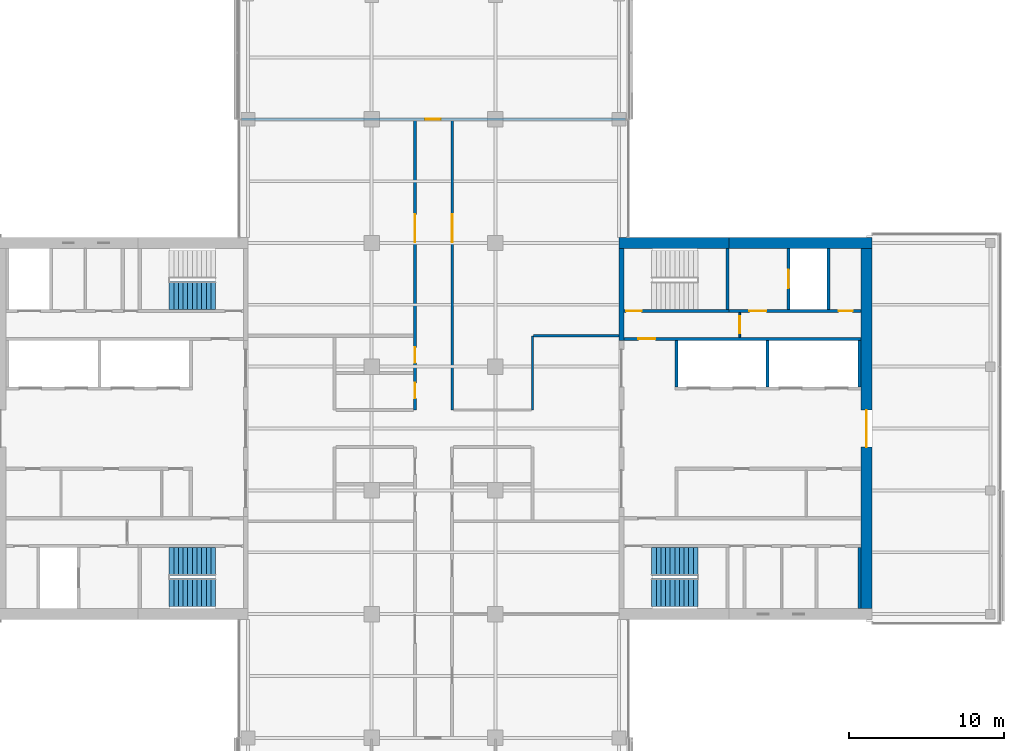
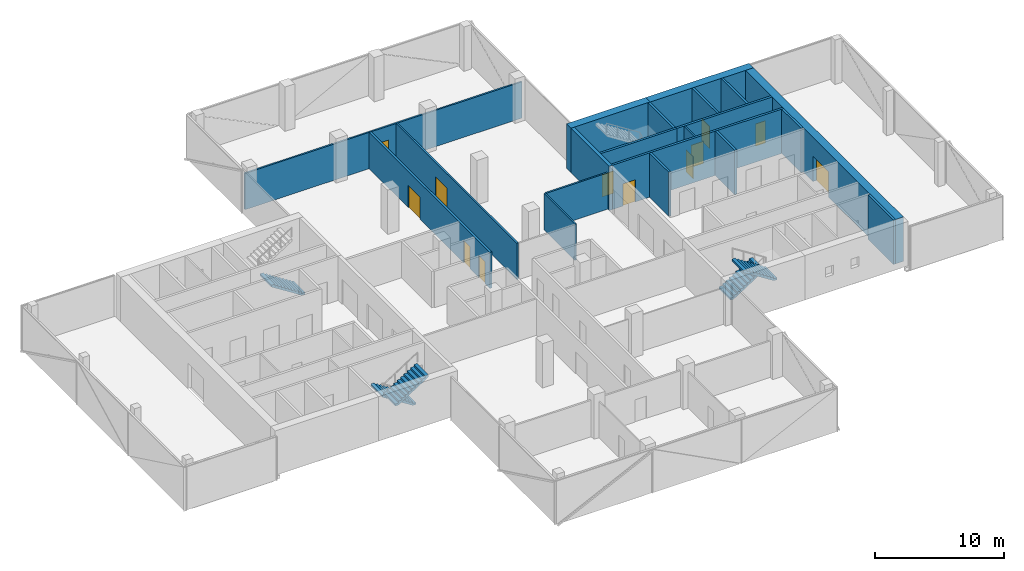
# One storey, part 16 of 22: 20 walls, 12 doors, 5 stair flights, 12 openings, 3 elements without a shape of their own.
"""IFC4 building model written with IfcOpenShell, lengths in metres."""

from ifc_helpers import new_model, si_unit, direction, frame, frame_2d, origin, place, context, subcontext, project, spatial, polyline, rectangle, outline, extrude, material, layer, layer_set, constituent, constituent_set, type_object, element, fill, aggregate, save


model = new_model("IFC4")

# Units and contexts
model_context = context("Model", 3, precision=1e-05, world=origin(), true_north=direction((0.0, 1.0)))
body_context = subcontext(model_context, "Body", "Model", "MODEL_VIEW")
ifc_project = project(units=[si_unit("LENGTHUNIT", "METRE"), si_unit("AREAUNIT", "SQUARE_METRE"), si_unit("VOLUMEUNIT", "CUBIC_METRE"), si_unit("PLANEANGLEUNIT", "RADIAN"), si_unit("MASSUNIT", "GRAM", prefix="KILO")], contexts=[model_context])

# Site, building, storey
site_placement = place(None, origin())
site = spatial("IfcSite", under=ifc_project, at=site_placement, CompositionType="ELEMENT")
building_placement = place(site_placement, origin())
building = spatial("IfcBuilding", under=site, at=building_placement, Name="Crosswind Convention Tower", CompositionType="ELEMENT")
storey_placement = place(building_placement, frame((0.0, 0.0, 121.10009765625)))
storey = spatial("IfcBuildingStorey", under=building, at=storey_placement, Name="L24", CompositionType="ELEMENT", Elevation=121.10009765625)

# Wall, openings, doors
ifc_material_1 = material(Name="Concrete blockwork", Category="masonry")
ifc_layer_1 = layer(ifc_material_1, 0.199951171875)
ifc_layer_set_1 = layer_set([ifc_layer_1], Name="COMPARTMENT WALL 200 BLOCKWORK")
wall_type_1 = type_object("IfcWallType", Name="COMPARTMENT WALL 200 BLOCKWORK", PredefinedType="SOLIDWALL", material=ifc_layer_set_1)
wall_1_placement = place(storey_placement, frame((123.800048828125, 101.199951171875, 0.0), z_axis=(0.0, 0.0, 1.0), x_axis=(0.0, 1.0, 0.0)))
wall_1 = element("IfcWall", 1, at=wall_1_placement, inside=storey, type_object=wall_type_1, Name="Compartment wall WT42", PredefinedType="SOLIDWALL", context=body_context, shape_type="SweptSolid", body=[
    extrude(rectangle(XDim=18.72509765625, YDim=0.199951171875, at=frame_2d((9.362548828125, 0.0))), origin(), (0.0, 0.0, 1.0), 3.436279296875),
])
opening_1_placement = place(wall_1_placement, frame((0.75, 0.0, 0.0)))
opening_1 = element("IfcOpeningElement", 2, at=opening_1_placement, cuts=wall_1, Name="Opening L24-55", PredefinedType="OPENING", context=body_context, shape_type="SweptSolid", body=[
    extrude(rectangle(XDim=1.0, YDim=2.10009765625, at=frame_2d((0.5, 1.050048828125))), frame((0.0, 0.10986328125, 0.0), z_axis=(0.0, -1.0, 0.0), x_axis=(1.0, 0.0, 0.0)), (0.0, 0.0, 1.0), 0.219970703125),
])
opening_2_placement = place(wall_1_placement, frame((3.050048828125, 0.0, 0.0)))
opening_2 = element("IfcOpeningElement", 3, at=opening_2_placement, cuts=wall_1, Name="Opening L24-56", PredefinedType="OPENING", context=body_context, shape_type="SweptSolid", body=[
    extrude(rectangle(XDim=1.0, YDim=2.10009765625, at=frame_2d((0.5, 1.050048828125))), frame((0.0, 0.10986328125, 0.0), z_axis=(0.0, -1.0, 0.0), x_axis=(1.0, 0.0, 0.0)), (0.0, 0.0, 1.0), 0.219970703125),
])
opening_3_placement = place(wall_1_placement, frame((10.85009765625, 0.0, 0.0)))
opening_3 = element("IfcOpeningElement", 4, at=opening_3_placement, cuts=wall_1, Name="Opening L24-57", PredefinedType="OPENING", context=body_context, shape_type="SweptSolid", body=[
    extrude(rectangle(XDim=1.800048828125, YDim=2.10009765625, at=frame_2d((0.89990234375, 1.050048828125))), frame((0.0, 0.10986328125, 0.0), z_axis=(0.0, -1.0, 0.0), x_axis=(1.0, 0.0, 0.0)), (0.0, 0.0, 1.0), 0.219970703125),
])
ifc_material_2 = material(Name="Steel fire door", Category="steel")
door_type_1 = type_object("IfcDoorType", Name="PLANT ROOM DOOR 1000X2100 FD60", OperationType="NOTDEFINED", PredefinedType="DOOR", material=ifc_material_2)
door_1_placement = place(opening_1_placement, origin())
door_1 = element("IfcDoor", 5, at=door_1_placement, inside=storey, type_object=door_type_1, Name="Door L24-55", ObjectType="D43", OperationType="SINGLE_SWING_RIGHT", OverallHeight=2.10009765625, OverallWidth=1.0, PredefinedType="DOOR", context=body_context, shape_type="SweptSolid", body=[
    extrude(rectangle(XDim=1.0, YDim=2.10009765625, at=frame_2d((0.5, 1.050048828125))), frame((0.0, 0.02490234375, 0.0), z_axis=(0.0, -1.0, 0.0), x_axis=(1.0, 0.0, 0.0)), (0.0, 0.0, 1.0), 0.050048828125),
])
fill(opening_1, door_1)
door_2_placement = place(opening_2_placement, origin())
door_2 = element("IfcDoor", 6, at=door_2_placement, inside=storey, type_object=door_type_1, Name="Door L24-56", ObjectType="D43", OperationType="SINGLE_SWING_LEFT", OverallHeight=2.10009765625, OverallWidth=1.0, PredefinedType="DOOR", context=body_context, shape_type="SweptSolid", body=[
    extrude(rectangle(XDim=1.0, YDim=2.10009765625, at=frame_2d((0.5, 1.050048828125))), frame((0.0, 0.02490234375, 0.0), z_axis=(0.0, -1.0, 0.0), x_axis=(1.0, 0.0, 0.0)), (0.0, 0.0, 1.0), 0.050048828125),
])
fill(opening_2, door_2)
ifc_material_3 = material(Name="Timber fire door", Category="wood")
door_type_2 = type_object("IfcDoorType", Name="TENANCY ENTRANCE DOUBLE DOOR 1800X2100 FD30S", OperationType="DOUBLE_DOOR_SINGLE_SWING", PredefinedType="DOOR", material=ifc_material_3)
door_3_placement = place(opening_3_placement, origin())
door_3 = element("IfcDoor", 7, at=door_3_placement, inside=storey, type_object=door_type_2, Name="Door L24-57", ObjectType="D42", OperationType="DOUBLE_DOOR_SINGLE_SWING", OverallHeight=2.10009765625, OverallWidth=1.800048828125, PredefinedType="DOOR", context=body_context, shape_type="SweptSolid", body=[
    extrude(rectangle(XDim=1.800048828125, YDim=2.10009765625, at=frame_2d((0.89990234375, 1.050048828125))), frame((0.0, 0.02490234375, 0.0), z_axis=(0.0, -1.0, 0.0), x_axis=(1.0, 0.0, 0.0)), (0.0, 0.0, 1.0), 0.050048828125),
])
fill(opening_3, door_3)

# Wall, opening, door
ifc_material_4 = material(Name="Concrete C60/75", Category="concrete")
ifc_layer_2 = layer(ifc_material_4, 0.699951171875)
ifc_layer_set_2 = layer_set([ifc_layer_2], Name="Concrete C60/75")
wall_type_2 = type_object("IfcWallType", Name="Concrete core wall 700", PredefinedType="SHEAR", material=ifc_layer_set_2)
wall_2_placement = place(storey_placement, frame((153.0, 88.35009765625, 0.0), z_axis=(0.0, 0.0, 1.0), x_axis=(0.0, 1.0, 0.0)))
wall_2 = element("IfcWall", 8, at=wall_2_placement, inside=storey, type_object=wall_type_2, Name="Wall O E L24", PredefinedType="SHEAR", context=body_context, shape_type="SweptSolid", body=[
    extrude(rectangle(XDim=23.2998046875, YDim=0.699951171875, at=frame_2d((11.64990234375, 0.0))), origin(), (0.0, 0.0, 1.0), 4.199951171875),
])
opening_4_placement = place(wall_2_placement, frame((10.449951171875, 0.0, 0.0)))
opening_4 = element("IfcOpeningElement", 9, at=opening_4_placement, cuts=wall_2, Name="Opening D100", PredefinedType="OPENING", context=body_context, shape_type="SweptSolid", body=[
    extrude(rectangle(XDim=2.39990234375, YDim=2.39990234375, at=frame_2d((1.199951171875, 1.199951171875))), frame((0.0, 0.35986328125, 0.0), z_axis=(0.0, -1.0, 0.0), x_axis=(1.0, 0.0, 0.0)), (0.0, 0.0, 1.0), 0.719970703125),
])
ifc_material_5 = material(Name="Steel fire door with glazed vision panels", Category="steel")
door_type_3 = type_object("IfcDoorType", Name="Fire-rated double door 2400x2400", OperationType="DOUBLE_DOOR_SINGLE_SWING", PredefinedType="DOOR", material=ifc_material_5)
door_4_placement = place(opening_4_placement, frame((2.39990234375, 0.0, 0.0), z_axis=(0.0, 0.0, 1.0), x_axis=(-1.0, 0.0, 0.0)))
door_4 = element("IfcDoor", 10, at=door_4_placement, inside=storey, type_object=door_type_3, Name="Lobby outer door L24", ObjectType="D100", OperationType="DOUBLE_DOOR_SINGLE_SWING", OverallHeight=2.39990234375, OverallWidth=2.39990234375, PredefinedType="DOOR", context=body_context, shape_type="SweptSolid", body=[
    extrude(rectangle(XDim=2.39990234375, YDim=2.39990234375, at=frame_2d((1.199951171875, 1.199951171875))), frame((0.0, 0.02490234375, 0.0), z_axis=(0.0, -1.0, 0.0), x_axis=(1.0, 0.0, 0.0)), (0.0, 0.0, 1.0), 0.050048828125),
])
fill(opening_4, door_4)

# Walls
ifc_material_6 = material(Name="Concrete C50/60", Category="concrete")
ifc_layer_3 = layer(ifc_material_6, 0.300048828125)
ifc_layer_set_3 = layer_set([ifc_layer_3], Name="Concrete C50/60")
wall_type_3 = type_object("IfcWallType", Name="Concrete inner core wall 300", PredefinedType="SHEAR", material=ifc_layer_set_3)
wall_3_placement = place(storey_placement, frame((137.14990234375, 105.699951171875, 0.0), z_axis=(0.0, 0.0, 1.0), x_axis=(0.0, 1.0, 0.0)))
element("IfcWall", 11, at=wall_3_placement, inside=storey, type_object=wall_type_3, Name="Wall EP E L24", PredefinedType="SHEAR", context=body_context, shape_type="SweptSolid", body=[
    extrude(rectangle(XDim=5.949951171875, YDim=0.300048828125, at=frame_2d((2.97509765625, 0.0))), origin(), (0.0, 0.0, 1.0), 4.199951171875),
])
ifc_layer_4 = layer(ifc_material_6, 0.199951171875)
ifc_layer_set_4 = layer_set([ifc_layer_4], Name="Concrete C50/60")
wall_type_4 = type_object("IfcWallType", Name="Concrete shaft and stair wall 200", PredefinedType="SHEAR", material=ifc_layer_set_4)
for number, where, z_axis, x_axis, name in (
    (12, (140.699951171875, 102.699951171875, 0.0), (0.0, 0.0, 1.0), (0.0, 1.0, 0.0), "Wall RPEND E L24"),
    (13, (146.60009765625, 102.699951171875, 0.0), (0.0, 0.0, 1.0), (0.0, 1.0, 0.0), "Wall RPSEP E L24"),
    (14, (152.550048828125, 102.699951171875, 0.0), (0.0, 0.0, 1.0), (0.0, 1.0, 0.0), "Wall RPEAST E L24"),
):
    element("IfcWall", number, at=place(storey_placement, frame(where, z_axis=z_axis, x_axis=x_axis)), inside=storey, type_object=wall_type_4, Name=name, PredefinedType="SHEAR", context=body_context, shape_type="SweptSolid", body=[
        extrude(rectangle(XDim=3.0, YDim=0.199951171875, at=frame_2d((1.5, 0.0))), origin(), (0.0, 0.0, 1.0), 4.199951171875),
    ])

# Wall, opening, door
wall_4_placement = place(storey_placement, frame((137.300048828125, 105.800048828125, 0.0), z_axis=(0.0, 0.0, 1.0), x_axis=(1.0, 0.0, 0.0)))
wall_4 = element("IfcWall", 15, at=wall_4_placement, inside=storey, type_object=wall_type_4, Name="Wall HP E L24", PredefinedType="SHEAR", context=body_context, shape_type="SweptSolid", body=[
    extrude(rectangle(XDim=15.349853515625, YDim=0.199951171875, at=frame_2d((7.6748046875, 0.0))), origin(), (0.0, 0.0, 1.0), 4.199951171875),
])
opening_5_placement = place(wall_4_placement, frame((0.949951171875, 0.0, 0.0)))
opening_5 = element("IfcOpeningElement", 16, at=opening_5_placement, cuts=wall_4, Name="Opening D104", PredefinedType="OPENING", context=body_context, shape_type="SweptSolid", body=[
    extrude(rectangle(XDim=1.10009765625, YDim=2.10009765625, at=frame_2d((0.550048828125, 1.050048828125))), frame((0.0, 0.10986328125, 0.0), z_axis=(0.0, -1.0, 0.0), x_axis=(1.0, 0.0, 0.0)), (0.0, 0.0, 1.0), 0.219970703125),
])
door_type_4 = type_object("IfcDoorType", Name="Fire-rated single door 1100x2100", OperationType="NOTDEFINED", PredefinedType="DOOR", material=ifc_material_2)
door_5_placement = place(opening_5_placement, origin())
door_5 = element("IfcDoor", 17, at=door_5_placement, inside=storey, type_object=door_type_4, Name="Corridor door L24", ObjectType="D104", OperationType="SINGLE_SWING_LEFT", OverallHeight=2.10009765625, OverallWidth=1.10009765625, PredefinedType="DOOR", context=body_context, shape_type="SweptSolid", body=[
    extrude(rectangle(XDim=1.10009765625, YDim=2.10009765625, at=frame_2d((0.550048828125, 1.050048828125))), frame((0.0, 0.02490234375, 0.0), z_axis=(0.0, -1.0, 0.0), x_axis=(1.0, 0.0, 0.0)), (0.0, 0.0, 1.0), 0.050048828125),
])
fill(opening_5, door_5)

# Wall
wall_5_placement = place(storey_placement, frame((144.0, 107.699951171875, 0.0), z_axis=(0.0, 0.0, 1.0), x_axis=(0.0, 1.0, 0.0)))
element("IfcWall", 18, at=wall_5_placement, inside=storey, type_object=wall_type_4, Name="Wall PSE E L24", PredefinedType="SHEAR", context=body_context, shape_type="SweptSolid", body=[
    extrude(rectangle(XDim=3.949951171875, YDim=0.199951171875, at=frame_2d((1.97509765625, 0.0))), origin(), (0.0, 0.0, 1.0), 4.199951171875),
])

# Wall, opening, door
wall_6_placement = place(storey_placement, frame((147.949951171875, 107.699951171875, 0.0), z_axis=(0.0, 0.0, 1.0), x_axis=(0.0, 1.0, 0.0)))
wall_6 = element("IfcWall", 19, at=wall_6_placement, inside=storey, type_object=wall_type_4, Name="Wall PFLW E L24", PredefinedType="SHEAR", context=body_context, shape_type="SweptSolid", body=[
    extrude(rectangle(XDim=3.949951171875, YDim=0.199951171875, at=frame_2d((1.97509765625, 0.0))), origin(), (0.0, 0.0, 1.0), 4.199951171875),
])
opening_6_placement = place(wall_6_placement, frame((1.375, 0.0, 0.0)))
opening_6 = element("IfcOpeningElement", 20, at=opening_6_placement, cuts=wall_6, Name="Opening LD1", PredefinedType="OPENING", context=body_context, shape_type="SweptSolid", body=[
    extrude(rectangle(XDim=1.199951171875, YDim=2.10009765625, at=frame_2d((0.60009765625, 1.050048828125))), frame((0.0, 0.10986328125, 0.0), z_axis=(0.0, -1.0, 0.0), x_axis=(1.0, 0.0, 0.0)), (0.0, 0.0, 1.0), 0.219970703125),
])
ifc_material_7 = material(Name="Stainless steel", Category="steel")
door_type_5 = type_object("IfcDoorType", Name="Lift landing door 1200x2100", OperationType="DOUBLE_DOOR_SLIDING", PredefinedType="DOOR", material=ifc_material_7)
door_6_placement = place(opening_6_placement, origin())
door_6 = element("IfcDoor", 21, at=door_6_placement, inside=storey, type_object=door_type_5, Name="Landing door FF1 L24", ObjectType="LD1", OperationType="DOUBLE_DOOR_SLIDING", OverallHeight=2.10009765625, OverallWidth=1.199951171875, PredefinedType="DOOR", context=body_context, shape_type="SweptSolid", body=[
    extrude(rectangle(XDim=1.199951171875, YDim=2.10009765625, at=frame_2d((0.60009765625, 1.050048828125))), frame((0.0, 0.02490234375, 0.0), z_axis=(0.0, -1.0, 0.0), x_axis=(1.0, 0.0, 0.0)), (0.0, 0.0, 1.0), 0.050048828125),
])
fill(opening_6, door_6)

# Wall
wall_7_placement = place(storey_placement, frame((150.550048828125, 107.699951171875, 0.0), z_axis=(0.0, 0.0, 1.0), x_axis=(0.0, 1.0, 0.0)))
element("IfcWall", 22, at=wall_7_placement, inside=storey, type_object=wall_type_4, Name="Wall PFSE E L24", PredefinedType="SHEAR", context=body_context, shape_type="SweptSolid", body=[
    extrude(rectangle(XDim=3.949951171875, YDim=0.199951171875, at=frame_2d((1.97509765625, 0.0))), origin(), (0.0, 0.0, 1.0), 4.199951171875),
])

# Wall, opening, door
wall_8_placement = place(storey_placement, frame((137.300048828125, 107.60009765625, 0.0), z_axis=(0.0, 0.0, 1.0), x_axis=(1.0, 0.0, 0.0)))
wall_8 = element("IfcWall", 23, at=wall_8_placement, inside=storey, type_object=wall_type_4, Name="Wall PCW E L24", PredefinedType="SHEAR", context=body_context, shape_type="SweptSolid", body=[
    extrude(rectangle(XDim=6.800048828125, YDim=0.199951171875, at=frame_2d((3.39990234375, 0.0))), origin(), (0.0, 0.0, 1.0), 4.199951171875),
])
opening_7_placement = place(wall_8_placement, frame((0.14990234375, 0.0, 0.0)))
opening_7 = element("IfcOpeningElement", 24, at=opening_7_placement, cuts=wall_8, Name="Opening D103", PredefinedType="OPENING", context=body_context, shape_type="SweptSolid", body=[
    extrude(rectangle(XDim=1.0, YDim=2.10009765625, at=frame_2d((0.5, 1.050048828125))), frame((0.0, 0.10986328125, 0.0), z_axis=(0.0, -1.0, 0.0), x_axis=(1.0, 0.0, 0.0)), (0.0, 0.0, 1.0), 0.219970703125),
])
door_type_6 = type_object("IfcDoorType", Name="Fire-rated single door 1000x2100", OperationType="NOTDEFINED", PredefinedType="DOOR", material=ifc_material_2)
door_7_placement = place(opening_7_placement, origin())
door_7 = element("IfcDoor", 25, at=door_7_placement, inside=storey, type_object=door_type_6, Name="Stair ST1 door L24", ObjectType="D103", OperationType="SINGLE_SWING_LEFT", OverallHeight=2.10009765625, OverallWidth=1.0, PredefinedType="DOOR", context=body_context, shape_type="SweptSolid", body=[
    extrude(rectangle(XDim=1.0, YDim=2.10009765625, at=frame_2d((0.5, 1.050048828125))), frame((0.0, 0.02490234375, 0.0), z_axis=(0.0, -1.0, 0.0), x_axis=(1.0, 0.0, 0.0)), (0.0, 0.0, 1.0), 0.050048828125),
])
fill(opening_7, door_7)

# Wall, openings, doors
wall_9_placement = place(storey_placement, frame((144.10009765625, 107.60009765625, 0.0), z_axis=(0.0, 0.0, 1.0), x_axis=(1.0, 0.0, 0.0)))
wall_9 = element("IfcWall", 26, at=wall_9_placement, inside=storey, type_object=wall_type_4, Name="Wall PCX E L24", PredefinedType="SHEAR", context=body_context, shape_type="SweptSolid", body=[
    extrude(rectangle(XDim=8.5498046875, YDim=0.199951171875, at=frame_2d((4.27490234375, 0.0))), origin(), (0.0, 0.0, 1.0), 4.199951171875),
])
opening_8_placement = place(wall_9_placement, frame((1.324951171875, 0.0, 0.0)))
opening_8 = element("IfcOpeningElement", 27, at=opening_8_placement, cuts=wall_9, Name="Opening D104", PredefinedType="OPENING", context=body_context, shape_type="SweptSolid", body=[
    extrude(rectangle(XDim=1.10009765625, YDim=2.10009765625, at=frame_2d((0.550048828125, 1.050048828125))), frame((0.0, 0.10986328125, 0.0), z_axis=(0.0, -1.0, 0.0), x_axis=(1.0, 0.0, 0.0)), (0.0, 0.0, 1.0), 0.219970703125),
])
opening_9_placement = place(wall_9_placement, frame((7.10009765625, 0.0, 0.0)))
opening_9 = element("IfcOpeningElement", 28, at=opening_9_placement, cuts=wall_9, Name="Opening D106", PredefinedType="OPENING", context=body_context, shape_type="SweptSolid", body=[
    extrude(rectangle(XDim=0.89990234375, YDim=2.10009765625, at=frame_2d((0.449951171875, 1.050048828125))), frame((0.0, 0.10986328125, 0.0), z_axis=(0.0, -1.0, 0.0), x_axis=(1.0, 0.0, 0.0)), (0.0, 0.0, 1.0), 0.219970703125),
])
door_8_placement = place(opening_8_placement, origin())
door_8 = element("IfcDoor", 29, at=door_8_placement, inside=storey, type_object=door_type_4, Name="Fire-fighting lobby FF1 door L24", ObjectType="D104", OperationType="SINGLE_SWING_RIGHT", OverallHeight=2.10009765625, OverallWidth=1.10009765625, PredefinedType="DOOR", context=body_context, shape_type="SweptSolid", body=[
    extrude(rectangle(XDim=1.10009765625, YDim=2.10009765625, at=frame_2d((0.550048828125, 1.050048828125))), frame((0.0, 0.02490234375, 0.0), z_axis=(0.0, -1.0, 0.0), x_axis=(1.0, 0.0, 0.0)), (0.0, 0.0, 1.0), 0.050048828125),
])
fill(opening_8, door_8)
ifc_material_8 = material(Name="Timber door", Category="wood")
door_type_7 = type_object("IfcDoorType", Name="Single leaf door 900x2100", OperationType="NOTDEFINED", PredefinedType="DOOR", material=ifc_material_8)
door_9_placement = place(opening_9_placement, origin())
door_9 = element("IfcDoor", 30, at=door_9_placement, inside=storey, type_object=door_type_7, Name="Door to electrical room L24", ObjectType="D106", OperationType="SINGLE_SWING_RIGHT", OverallHeight=2.10009765625, OverallWidth=0.89990234375, PredefinedType="DOOR", context=body_context, shape_type="SweptSolid", body=[
    extrude(rectangle(XDim=0.89990234375, YDim=2.10009765625, at=frame_2d((0.449951171875, 1.050048828125))), frame((0.0, 0.02490234375, 0.0), z_axis=(0.0, -1.0, 0.0), x_axis=(1.0, 0.0, 0.0)), (0.0, 0.0, 1.0), 0.050048828125),
])
fill(opening_9, door_9)

# Wall
wall_10_placement = place(storey_placement, frame((152.550048828125, 88.35009765625, 0.0), z_axis=(0.0, 0.0, 1.0), x_axis=(0.0, 1.0, 0.0)))
element("IfcWall", 31, at=wall_10_placement, inside=storey, type_object=wall_type_4, Name="Wall MFSE E L24", PredefinedType="SHEAR", context=body_context, shape_type="SweptSolid", body=[
    extrude(rectangle(XDim=3.949951171875, YDim=0.199951171875, at=frame_2d((1.97509765625, 0.0))), origin(), (0.0, 0.0, 1.0), 4.199951171875),
])

# Wall, opening, door
ifc_material_9 = material(Name="Gypsum plasterboard partition", Category="gypsum")
ifc_layer_5 = layer(ifc_material_9, 0.125)
ifc_layer_set_5 = layer_set([ifc_layer_5], Name="Drywall partition wall 125")
wall_type_5 = type_object("IfcWallType", Name="Drywall partition wall 125", PredefinedType="PARTITIONING", material=ifc_layer_set_5)
wall_11_placement = place(storey_placement, frame((144.800048828125, 105.89990234375, 0.0), z_axis=(0.0, 0.0, 1.0), x_axis=(0.0, 1.0, 0.0)))
wall_11 = element("IfcWall", 32, at=wall_11_placement, inside=storey, type_object=wall_type_5, Name="Wall PXC1 E L24", PredefinedType="PARTITIONING", context=body_context, shape_type="SweptSolid", body=[
    extrude(rectangle(XDim=1.60009765625, YDim=0.125, at=frame_2d((0.800048828125, 0.0))), origin(), (0.0, 0.0, 1.0), 4.199951171875),
])
opening_10_placement = place(wall_11_placement, frame((0.25, 0.0, 0.0)))
opening_10 = element("IfcOpeningElement", 33, at=opening_10_placement, cuts=wall_11, Name="Opening D104", PredefinedType="OPENING", context=body_context, shape_type="SweptSolid", body=[
    extrude(rectangle(XDim=1.10009765625, YDim=2.10009765625, at=frame_2d((0.550048828125, 1.050048828125))), frame((0.0, 0.072509765625, 0.0), z_axis=(0.0, -1.0, 0.0), x_axis=(1.0, 0.0, 0.0)), (0.0, 0.0, 1.0), 0.14501953125),
])
door_10_placement = place(opening_10_placement, origin())
door_10 = element("IfcDoor", 34, at=door_10_placement, inside=storey, type_object=door_type_4, Name="Corridor smoke door L24", ObjectType="D104", OperationType="SINGLE_SWING_RIGHT", OverallHeight=2.10009765625, OverallWidth=1.10009765625, PredefinedType="DOOR", context=body_context, shape_type="SweptSolid", body=[
    extrude(rectangle(XDim=1.10009765625, YDim=2.10009765625, at=frame_2d((0.550048828125, 1.050048828125))), frame((0.0, 0.02490234375, 0.0), z_axis=(0.0, -1.0, 0.0), x_axis=(1.0, 0.0, 0.0)), (0.0, 0.0, 1.0), 0.050048828125),
])
fill(opening_10, door_10)

ifc_material_10 = material(Name="Fire-board partition with mineral wool", Category="gypsum")
ifc_layer_6 = layer(ifc_material_10, 0.14990234375)
ifc_layer_set_6 = layer_set([ifc_layer_6], Name="TENANCY WALL 150 TWO-HOUR BOARD")
wall_type_6 = type_object("IfcWallType", Name="TENANCY WALL 150 TWO-HOUR BOARD", PredefinedType="PARTITIONING", material=ifc_layer_set_6)
wall_12_placement = place(storey_placement, frame((126.199951171875, 101.199951171875, 0.0), z_axis=(0.0, 0.0, 1.0), x_axis=(0.0, 1.0, 0.0)))
wall_12 = element("IfcWall", 35, at=wall_12_placement, inside=storey, type_object=wall_type_6, Name="Tenancy wall WT41", PredefinedType="PARTITIONING", context=body_context, shape_type="SweptSolid", body=[
    extrude(rectangle(XDim=18.72509765625, YDim=0.14990234375, at=frame_2d((9.362548828125, 0.0))), origin(), (0.0, 0.0, 1.0), 3.436279296875),
])
opening_11_placement = place(wall_12_placement, frame((10.85009765625, 0.0, 0.0)))
opening_11 = element("IfcOpeningElement", 36, at=opening_11_placement, cuts=wall_12, Name="Opening L24-50", PredefinedType="OPENING", context=body_context, shape_type="SweptSolid", body=[
    extrude(rectangle(XDim=1.800048828125, YDim=2.10009765625, at=frame_2d((0.89990234375, 1.050048828125))), frame((0.0, 0.0849609375, 0.0), z_axis=(0.0, -1.0, 0.0), x_axis=(1.0, 0.0, 0.0)), (0.0, 0.0, 1.0), 0.169921875),
])
door_11_placement = place(opening_11_placement, frame((1.800048828125, 0.0, 0.0), z_axis=(0.0, 0.0, 1.0), x_axis=(-1.0, 0.0, 0.0)))
door_11 = element("IfcDoor", 37, at=door_11_placement, inside=storey, type_object=door_type_2, Name="Door L24-50", ObjectType="D42", OperationType="DOUBLE_DOOR_SINGLE_SWING", OverallHeight=2.10009765625, OverallWidth=1.800048828125, PredefinedType="DOOR", context=body_context, shape_type="SweptSolid", body=[
    extrude(rectangle(XDim=1.800048828125, YDim=2.10009765625, at=frame_2d((0.89990234375, 1.050048828125))), frame((0.0, 0.02490234375, 0.0), z_axis=(0.0, -1.0, 0.0), x_axis=(1.0, 0.0, 0.0)), (0.0, 0.0, 1.0), 0.050048828125),
])
fill(opening_11, door_11)

# Walls
wall_13_placement = place(storey_placement, frame((131.39990234375, 101.199951171875, 0.0), z_axis=(0.0, 0.0, 1.0), x_axis=(0.0, 1.0, 0.0)))
element("IfcWall", 38, at=wall_13_placement, inside=storey, type_object=wall_type_6, Name="Tenancy wall WT41", PredefinedType="PARTITIONING", context=body_context, shape_type="SweptSolid", body=[
    extrude(rectangle(XDim=4.800048828125, YDim=0.14990234375, at=frame_2d((2.39990234375, 0.0))), origin(), (0.0, 0.0, 1.0), 3.436279296875),
])
wall_14_placement = place(storey_placement, frame((131.47509765625, 106.0, 0.0), z_axis=(0.0, 0.0, 1.0), x_axis=(1.0, 0.0, 0.0)))
element("IfcWall", 39, at=wall_14_placement, inside=storey, type_object=wall_type_6, Name="Tenancy wall WT41", PredefinedType="PARTITIONING", context=body_context, shape_type="SweptSolid", body=[
    extrude(rectangle(XDim=5.52490234375, YDim=0.14990234375, at=frame_2d((2.762451171875, 0.0))), origin(), (0.0, 0.0, 1.0), 3.436279296875),
])

# Wall, opening, door
wall_15_placement = place(storey_placement, frame((112.580078125, 120.0, 0.0), z_axis=(0.0, 0.0, 1.0), x_axis=(1.0, 0.0, 0.0)))
wall_15 = element("IfcWall", 40, at=wall_15_placement, inside=storey, type_object=wall_type_6, Name="Tenancy wall WT41", PredefinedType="PARTITIONING", context=body_context, shape_type="SweptSolid", body=[
    extrude(rectangle(XDim=24.83984375, YDim=0.14990234375, at=frame_2d((12.419921875, 0.0))), origin(), (0.0, 0.0, 1.0), 3.436279296875),
])
opening_12_placement = place(wall_15_placement, frame((11.8701171875, 0.0, 0.0)))
opening_12 = element("IfcOpeningElement", 41, at=opening_12_placement, cuts=wall_15, Name="Opening L24-61", PredefinedType="OPENING", context=body_context, shape_type="SweptSolid", body=[
    extrude(rectangle(XDim=1.0, YDim=2.10009765625, at=frame_2d((0.5, 1.050048828125))), frame((0.0, 0.0849609375, 0.0), z_axis=(0.0, -1.0, 0.0), x_axis=(1.0, 0.0, 0.0)), (0.0, 0.0, 1.0), 0.169921875),
])
door_type_8 = type_object("IfcDoorType", Name="TENANCY ENTRANCE DOOR 1000X2100 FD30S", OperationType="NOTDEFINED", PredefinedType="DOOR", material=ifc_material_3)
door_12_placement = place(opening_12_placement, origin())
door_12 = element("IfcDoor", 42, at=door_12_placement, inside=storey, type_object=door_type_8, Name="Door L24-61", ObjectType="D41", OperationType="SINGLE_SWING_LEFT", OverallHeight=2.10009765625, OverallWidth=1.0, PredefinedType="DOOR", context=body_context, shape_type="SweptSolid", body=[
    extrude(rectangle(XDim=1.0, YDim=2.10009765625, at=frame_2d((0.5, 1.050048828125))), frame((0.0, 0.02490234375, 0.0), z_axis=(0.0, -1.0, 0.0), x_axis=(1.0, 0.0, 0.0)), (0.0, 0.0, 1.0), 0.050048828125),
])
fill(opening_12, door_12)

# Walls
ifc_constituent_1 = constituent(ifc_material_4, Name="Structure")
ifc_material_11 = material(Name="Terracotta rainscreen", Category="ceramic")
ifc_constituent_2 = constituent(ifc_material_11, Name="Facing")
ifc_constituent_set = constituent_set(constituents=[ifc_constituent_1, ifc_constituent_2], Name="Concrete C60/75, Terracotta rainscreen")
wall_type_7 = type_object("IfcWallType", Name="Terracotta rainscreen on concrete core wall 700", PredefinedType="SHEAR", material=ifc_constituent_set)
wall_16_placement = place(storey_placement, frame((137.0, 112.0, 0.0), z_axis=(0.0, 0.0, 1.0), x_axis=(1.0, 0.0, 0.0)))
element("IfcWall", 43, at=wall_16_placement, inside=storey, type_object=wall_type_7, Name="Wall N1 E L24", PredefinedType="SHEAR", context=body_context, shape_type="SweptSolid", body=[
    extrude(rectangle(XDim=7.10009765625, YDim=0.699951171875, at=frame_2d((3.550048828125, 0.0))), origin(), (0.0, 0.0, 1.0), 4.199951171875),
])
wall_17_placement = place(storey_placement, frame((144.10009765625, 112.0, 0.0), z_axis=(0.0, 0.0, 1.0), x_axis=(1.0, 0.0, 0.0)))
element("IfcWall", 44, at=wall_17_placement, inside=storey, type_object=wall_type_7, Name="Wall N2 E L24", PredefinedType="SHEAR", context=body_context, shape_type="SweptSolid", body=[
    extrude(rectangle(XDim=9.25, YDim=0.699951171875, at=frame_2d((4.625, 0.0))), origin(), (0.0, 0.0, 1.0), 4.199951171875),
])

# Stair, stair flights
ifc_material_12 = material(Name="Concrete C40/50", Category="concrete")
stair_type = type_object("IfcStairType", Name="Exit stair 1800 wide, 2 flights of 11 risers", PredefinedType="HALF_TURN_STAIR", material=ifc_material_12)
stair_1_placement = place(storey_placement, origin())
stair_1 = element("IfcStair", 45, at=stair_1_placement, inside=storey, type_object=stair_type, Name="Exit stair ST2 L24", ObjectType="ST5", PredefinedType="HALF_TURN_STAIR")
stair_flight_type = type_object("IfcStairFlightType", Name="Stair flight 1800 wide, 11 risers (SF4)", PredefinedType="STRAIGHT", material=ifc_material_12)
stair_flight_1_placement = place(storey_placement, frame((139.10009765625, 91.39990234375, 0.0), z_axis=(0.0, 0.0, 1.0), x_axis=(1.0, 0.0, 0.0)))
stair_flight_1 = element("IfcStairFlight", 46, at=stair_flight_1_placement, type_object=stair_flight_type, Name="ST2 flight 1", NumberOfRisers=11, NumberOfTreads=10, PredefinedType="STRAIGHT", RiserHeight=0.190909091, TreadLength=0.3, context=body_context, shape_type="SweptSolid", body=[
    extrude(outline(polyline([(0.0, 0.0), (0.0, 0.19091796875), (0.300048828125, 0.19091796875), (0.300048828125, 0.3818359375), (0.60009765625, 0.3818359375), (0.60009765625, 0.57275390625), (0.89990234375, 0.57275390625), (0.89990234375, 0.763671875), (1.199951171875, 0.763671875), (1.199951171875, 0.95458984375), (1.5, 0.95458984375), (1.5, 1.1455078125), (1.800048828125, 1.1455078125), (1.800048828125, 1.33642578125), (2.10009765625, 1.33642578125), (2.10009765625, 1.52734375), (2.39990234375, 1.52734375), (2.39990234375, 1.71826171875), (2.699951171875, 1.71826171875), (2.699951171875, 1.9091796875), (3.0, 1.9091796875), (3.0, 2.10009765625), (3.0, 1.7314453125), (0.279296875, 0.0), (0.0, 0.0)])), frame((0.0, 0.89990234375, 0.0), z_axis=(0.0, -1.0, 0.0), x_axis=(1.0, 0.0, 0.0)), (0.0, 0.0, 1.0), 1.800048828125),
])
stair_flight_2_placement = place(storey_placement, frame((142.10009765625, 89.39990234375, 2.099853515625), z_axis=(0.0, 0.0, 1.0), x_axis=(-1.0, 0.0, 0.0)))
stair_flight_2 = element("IfcStairFlight", 47, at=stair_flight_2_placement, type_object=stair_flight_type, Name="ST2 flight 2", NumberOfRisers=11, NumberOfTreads=10, PredefinedType="STRAIGHT", RiserHeight=0.190909091, TreadLength=0.3, context=body_context, shape_type="SweptSolid", body=[
    extrude(outline(polyline([(0.0, 0.0), (0.0, 0.19091796875), (0.300048828125, 0.19091796875), (0.300048828125, 0.3818359375), (0.60009765625, 0.3818359375), (0.60009765625, 0.57275390625), (0.89990234375, 0.57275390625), (0.89990234375, 0.763671875), (1.199951171875, 0.763671875), (1.199951171875, 0.95458984375), (1.5, 0.95458984375), (1.5, 1.1455078125), (1.800048828125, 1.1455078125), (1.800048828125, 1.33642578125), (2.10009765625, 1.33642578125), (2.10009765625, 1.52734375), (2.39990234375, 1.52734375), (2.39990234375, 1.71826171875), (2.699951171875, 1.71826171875), (2.699951171875, 1.9091796875), (3.0, 1.9091796875), (3.0, 2.10009765625), (3.0, 1.7314453125), (0.279296875, 0.0), (0.0, 0.0)])), frame((0.0, 0.89990234375, 0.0), z_axis=(0.0, -1.0, 0.0), x_axis=(1.0, 0.0, 0.0)), (0.0, 0.0, 1.0), 1.800048828125),
])
aggregate(stair_1, [stair_flight_1, stair_flight_2])

stair_2_placement = place(storey_placement, origin())
stair_2 = element("IfcStair", 48, at=stair_2_placement, inside=storey, type_object=stair_type, Name="Exit stair ST3 L24", ObjectType="ST5", PredefinedType="HALF_TURN_STAIR")
stair_flight_3_placement = place(storey_placement, frame((110.89990234375, 91.39990234375, 0.0), z_axis=(0.0, 0.0, 1.0), x_axis=(-1.0, 0.0, 0.0)))
stair_flight_3 = element("IfcStairFlight", 49, at=stair_flight_3_placement, type_object=stair_flight_type, Name="ST3 flight 1", NumberOfRisers=11, NumberOfTreads=10, PredefinedType="STRAIGHT", RiserHeight=0.190909091, TreadLength=0.3, context=body_context, shape_type="SweptSolid", body=[
    extrude(outline(polyline([(0.0, 0.0), (0.0, 0.19091796875), (0.300048828125, 0.19091796875), (0.300048828125, 0.3818359375), (0.60009765625, 0.3818359375), (0.60009765625, 0.57275390625), (0.89990234375, 0.57275390625), (0.89990234375, 0.763671875), (1.199951171875, 0.763671875), (1.199951171875, 0.95458984375), (1.5, 0.95458984375), (1.5, 1.1455078125), (1.800048828125, 1.1455078125), (1.800048828125, 1.33642578125), (2.10009765625, 1.33642578125), (2.10009765625, 1.52734375), (2.39990234375, 1.52734375), (2.39990234375, 1.71826171875), (2.699951171875, 1.71826171875), (2.699951171875, 1.9091796875), (3.0, 1.9091796875), (3.0, 2.10009765625), (3.0, 1.7314453125), (0.279296875, 0.0), (0.0, 0.0)])), frame((0.0, 0.89990234375, 0.0), z_axis=(0.0, -1.0, 0.0), x_axis=(1.0, 0.0, 0.0)), (0.0, 0.0, 1.0), 1.800048828125),
])
stair_flight_4_placement = place(storey_placement, frame((107.89990234375, 89.39990234375, 2.099853515625), z_axis=(0.0, 0.0, 1.0), x_axis=(1.0, 0.0, 0.0)))
stair_flight_4 = element("IfcStairFlight", 50, at=stair_flight_4_placement, type_object=stair_flight_type, Name="ST3 flight 2", NumberOfRisers=11, NumberOfTreads=10, PredefinedType="STRAIGHT", RiserHeight=0.190909091, TreadLength=0.3, context=body_context, shape_type="SweptSolid", body=[
    extrude(outline(polyline([(0.0, 0.0), (0.0, 0.19091796875), (0.300048828125, 0.19091796875), (0.300048828125, 0.3818359375), (0.60009765625, 0.3818359375), (0.60009765625, 0.57275390625), (0.89990234375, 0.57275390625), (0.89990234375, 0.763671875), (1.199951171875, 0.763671875), (1.199951171875, 0.95458984375), (1.5, 0.95458984375), (1.5, 1.1455078125), (1.800048828125, 1.1455078125), (1.800048828125, 1.33642578125), (2.10009765625, 1.33642578125), (2.10009765625, 1.52734375), (2.39990234375, 1.52734375), (2.39990234375, 1.71826171875), (2.699951171875, 1.71826171875), (2.699951171875, 1.9091796875), (3.0, 1.9091796875), (3.0, 2.10009765625), (3.0, 1.7314453125), (0.279296875, 0.0), (0.0, 0.0)])), frame((0.0, 0.89990234375, 0.0), z_axis=(0.0, -1.0, 0.0), x_axis=(1.0, 0.0, 0.0)), (0.0, 0.0, 1.0), 1.800048828125),
])
aggregate(stair_2, [stair_flight_3, stair_flight_4])

# Stair, stair flight
stair_3_placement = place(storey_placement, origin())
stair_3 = element("IfcStair", 51, at=stair_3_placement, inside=storey, type_object=stair_type, Name="Exit stair ST4 L24", ObjectType="ST5", PredefinedType="HALF_TURN_STAIR")
stair_flight_5_placement = place(storey_placement, frame((110.89990234375, 108.60009765625, 0.0), z_axis=(0.0, 0.0, 1.0), x_axis=(-1.0, 0.0, 0.0)))
stair_flight_5 = element("IfcStairFlight", 52, at=stair_flight_5_placement, type_object=stair_flight_type, Name="ST4 flight 1", NumberOfRisers=11, NumberOfTreads=10, PredefinedType="STRAIGHT", RiserHeight=0.190909091, TreadLength=0.3, context=body_context, shape_type="SweptSolid", body=[
    extrude(outline(polyline([(0.0, 0.0), (0.0, 0.19091796875), (0.300048828125, 0.19091796875), (0.300048828125, 0.3818359375), (0.60009765625, 0.3818359375), (0.60009765625, 0.57275390625), (0.89990234375, 0.57275390625), (0.89990234375, 0.763671875), (1.199951171875, 0.763671875), (1.199951171875, 0.95458984375), (1.5, 0.95458984375), (1.5, 1.1455078125), (1.800048828125, 1.1455078125), (1.800048828125, 1.33642578125), (2.10009765625, 1.33642578125), (2.10009765625, 1.52734375), (2.39990234375, 1.52734375), (2.39990234375, 1.71826171875), (2.699951171875, 1.71826171875), (2.699951171875, 1.9091796875), (3.0, 1.9091796875), (3.0, 2.10009765625), (3.0, 1.7314453125), (0.279296875, 0.0), (0.0, 0.0)])), frame((0.0, 0.89990234375, 0.0), z_axis=(0.0, -1.0, 0.0), x_axis=(1.0, 0.0, 0.0)), (0.0, 0.0, 1.0), 1.800048828125),
])
aggregate(stair_3, [stair_flight_5])

save(model, "model.ifc")
